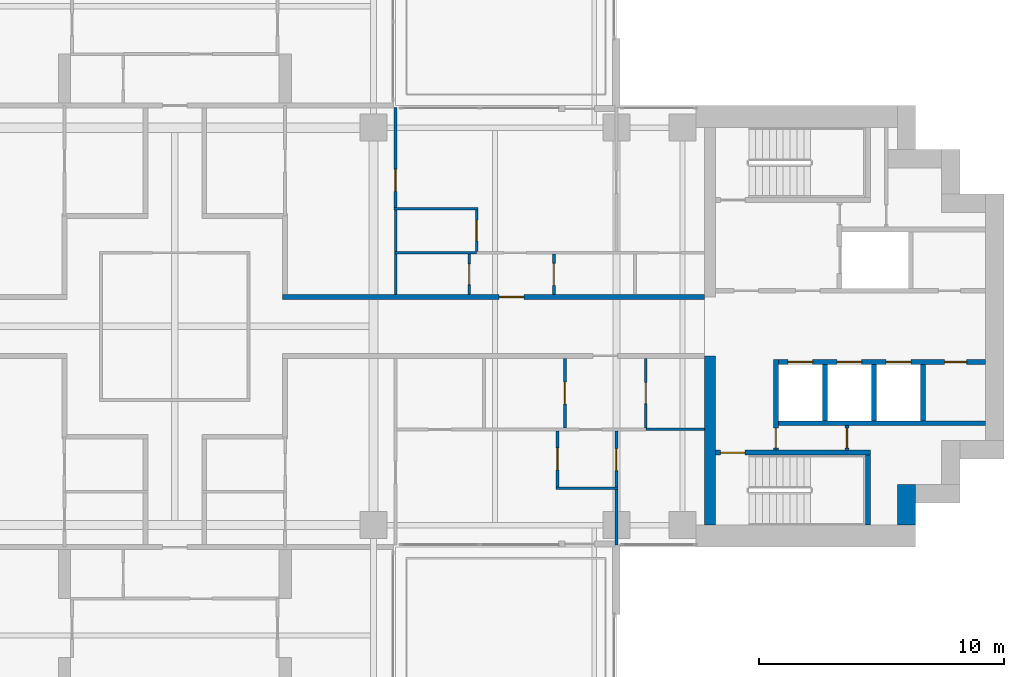
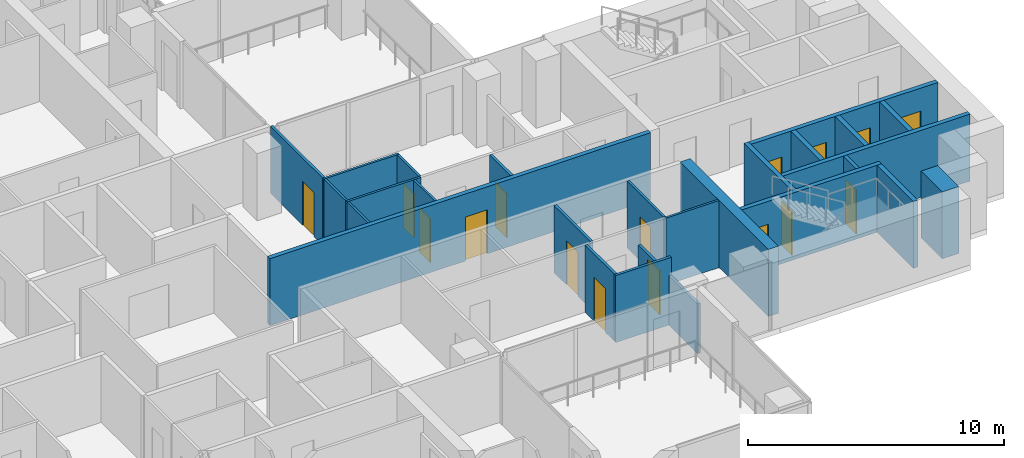
# One storey, part 12 of 19: 25 walls, 16 doors, 16 openings.
"""IFC4 building model written with IfcOpenShell, lengths in metres."""

from ifc_helpers import new_model, si_unit, direction, frame, frame_2d, origin, place, context, subcontext, project, spatial, rectangle, extrude, material, layer, layer_set, type_object, element, fill, save


model = new_model("IFC4")

# Units and contexts
model_context = context("Model", 3, precision=1e-05, world=origin(), true_north=direction((0.0, 1.0)))
body_context = subcontext(model_context, "Body", "Model", "MODEL_VIEW")
ifc_project = project(units=[si_unit("LENGTHUNIT", "METRE"), si_unit("AREAUNIT", "SQUARE_METRE"), si_unit("VOLUMEUNIT", "CUBIC_METRE"), si_unit("PLANEANGLEUNIT", "RADIAN"), si_unit("MASSUNIT", "GRAM", prefix="KILO")], contexts=[model_context])

# Site, building, storey
site_placement = place(None, origin())
site = spatial("IfcSite", under=ifc_project, at=site_placement, CompositionType="ELEMENT")
building_placement = place(site_placement, origin())
building = spatial("IfcBuilding", under=site, at=building_placement, Name="Perihelion Cross Residences", CompositionType="ELEMENT")
storey_placement = place(building_placement, frame((0.0, 0.0, 151.39990234375)))
storey = spatial("IfcBuildingStorey", under=building, at=storey_placement, Name="L37", CompositionType="ELEMENT", Elevation=151.39990234375)

# Wall, opening, door
ifc_material_1 = material(Name="Plasterboard partition")
ifc_layer_1 = layer(ifc_material_1, 0.199951171875)
ifc_layer_set_1 = layer_set([ifc_layer_1], Name="Apartment separation wall 200")
wall_type_1 = type_object("IfcWallType", Name="Apartment separation wall 200", PredefinedType="PARTITIONING", material=ifc_layer_set_1)
wall_1_placement = place(storey_placement, frame((4.39990234375, 1.199951171875, 0.0), z_axis=(0.0, 0.0, 1.0), x_axis=(1.0, 0.0, 0.0)))
wall_1 = element("IfcWall", 1, at=wall_1_placement, inside=storey, type_object=wall_type_1, Name="Partition L37 W005", PredefinedType="PARTITIONING", context=body_context, shape_type="SweptSolid", body=[
    extrude(rectangle(XDim=17.2001953125, YDim=0.199951171875, at=frame_2d((8.60009765625, 0.0))), origin(), (0.0, 0.0, 1.0), 3.2001953125),
])
opening_1_placement = place(wall_1_placement, frame((8.824951171875, 0.0, 0.0)))
opening_1 = element("IfcOpeningElement", 2, at=opening_1_placement, cuts=wall_1, Name="Opening L37.A50", PredefinedType="OPENING", context=body_context, shape_type="SweptSolid", body=[
    extrude(rectangle(XDim=1.0, YDim=2.10009765625, at=frame_2d((0.5, 1.050048828125))), frame((0.0, 0.10986328125, 0.0), z_axis=(0.0, -1.0, 0.0), x_axis=(1.0, 0.0, 0.0)), (0.0, 0.0, 1.0), 0.219970703125),
])
ifc_material_2 = material(Name="Timber door leaf", Category="wood")
door_type_1 = type_object("IfcDoorType", Name="Flat entrance door 1000 x 2100", OperationType="SINGLE_SWING_LEFT", PredefinedType="DOOR", material=ifc_material_2)
door_1_placement = place(opening_1_placement, origin())
door_1 = element("IfcDoor", 3, at=door_1_placement, inside=storey, type_object=door_type_1, Name="Door L37.A50", OperationType="SINGLE_SWING_LEFT", OverallHeight=2.10009765625, OverallWidth=1.0, PredefinedType="DOOR", context=body_context, shape_type="SweptSolid", body=[
    extrude(rectangle(XDim=1.0, YDim=2.10009765625, at=frame_2d((0.5, 1.050048828125))), frame((0.0, 0.02490234375, 0.0), z_axis=(0.0, -1.0, 0.0), x_axis=(1.0, 0.0, 0.0)), (0.0, 0.0, 1.0), 0.050048828125),
])
fill(opening_1, door_1)

# Walls
ifc_material_3 = material(Name="Concrete C60/75", Category="concrete")
ifc_layer_2 = layer(ifc_material_3, 0.449951171875)
ifc_layer_set_2 = layer_set([ifc_layer_2], Name="Core wall, inner 450")
wall_type_2 = type_object("IfcWallType", Name="Core wall, inner 450", PredefinedType="SHEAR", material=ifc_layer_set_2)
wall_2_placement = place(storey_placement, frame((21.824951171875, -8.10009765625, 0.0), z_axis=(0.0, 0.0, 1.0), x_axis=(0.0, 1.0, 0.0)))
element("IfcWall", 4, at=wall_2_placement, inside=storey, type_object=wall_type_2, Name="East core core wall, inner", PredefinedType="SHEAR", context=body_context, shape_type="SweptSolid", body=[
    extrude(rectangle(XDim=6.900146484375, YDim=0.449951171875, at=frame_2d((3.4501953125, 0.0))), origin(), (0.0, 0.0, 1.0), 3.2001953125),
])
ifc_material_4 = material(Name="Concrete C60/75", Category="concrete")
ifc_layer_3 = layer(ifc_material_4, 0.75)
ifc_layer_set_3 = layer_set([ifc_layer_3], Name="Core wall, outer 750")
wall_type_3 = type_object("IfcWallType", Name="Core wall, outer 750", PredefinedType="SHEAR", material=ifc_layer_set_3)
wall_3_placement = place(storey_placement, frame((29.824951171875, -8.10009765625, 0.0), z_axis=(0.0, 0.0, 1.0), x_axis=(0.0, 1.0, 0.0)))
element("IfcWall", 5, at=wall_3_placement, inside=storey, type_object=wall_type_3, Name="East core core wall, outer", PredefinedType="SHEAR", context=body_context, shape_type="SweptSolid", body=[
    extrude(rectangle(XDim=1.650146484375, YDim=0.75, at=frame_2d((0.8251953125, 0.0))), origin(), (0.0, 0.0, 1.0), 3.2001953125),
])

# Wall, opening, door
ifc_material_5 = material(Name="Concrete C50/60", Category="concrete")
ifc_layer_4 = layer(ifc_material_5, 0.199951171875)
ifc_layer_set_4 = layer_set([ifc_layer_4], Name="Lobby wall 200")
wall_type_4 = type_object("IfcWallType", Name="Lobby wall 200", PredefinedType="SOLIDWALL", material=ifc_layer_set_4)
wall_4_placement = place(storey_placement, frame((24.5, -5.050048828125, 0.0), z_axis=(0.0, 0.0, 1.0), x_axis=(0.0, 1.0, 0.0)))
wall_4 = element("IfcWall", 6, at=wall_4_placement, inside=storey, type_object=wall_type_4, Name="East core lobby wall", PredefinedType="SOLIDWALL", context=body_context, shape_type="SweptSolid", body=[
    extrude(rectangle(XDim=3.699951171875, YDim=0.199951171875, at=frame_2d((1.85009765625, 0.0))), origin(), (0.0, 0.0, 1.0), 3.2001953125),
])
opening_2_placement = place(wall_4_placement, frame((0.10009765625, 0.0, 0.0)))
opening_2 = element("IfcOpeningElement", 7, at=opening_2_placement, cuts=wall_4, Name="Opening L37.C08", PredefinedType="OPENING", context=body_context, shape_type="SweptSolid", body=[
    extrude(rectangle(XDim=0.800048828125, YDim=2.10009765625, at=frame_2d((0.39990234375, 1.050048828125))), frame((0.0, 0.10986328125, 0.0), z_axis=(0.0, -1.0, 0.0), x_axis=(1.0, 0.0, 0.0)), (0.0, 0.0, 1.0), 0.219970703125),
])
ifc_material_6 = material(Name="Steel, powder coated", Category="steel")
door_type_2 = type_object("IfcDoorType", Name="Riser door 800", OperationType="SINGLE_SWING_LEFT", PredefinedType="DOOR", material=ifc_material_6)
door_2_placement = place(opening_2_placement, origin())
door_2 = element("IfcDoor", 8, at=door_2_placement, inside=storey, type_object=door_type_2, Name="East core riser door", OperationType="SINGLE_SWING_LEFT", OverallHeight=2.10009765625, OverallWidth=0.800048828125, PredefinedType="DOOR", context=body_context, shape_type="SweptSolid", body=[
    extrude(rectangle(XDim=0.800048828125, YDim=2.10009765625, at=frame_2d((0.39990234375, 1.050048828125))), frame((0.0, 0.02490234375, 0.0), z_axis=(0.0, -1.0, 0.0), x_axis=(1.0, 0.0, 0.0)), (0.0, 0.0, 1.0), 0.050048828125),
])
fill(opening_2, door_2)

ifc_material_7 = material(Name="Plasterboard partition")
ifc_layer_5 = layer(ifc_material_7, 0.1201171875)
ifc_layer_set_5 = layer_set([ifc_layer_5], Name="Partition wall 120")
wall_type_5 = type_object("IfcWallType", Name="Partition wall 120", PredefinedType="PARTITIONING", material=ifc_layer_set_5)
wall_5_placement = place(storey_placement, frame((15.449951171875, 2.93994140625, 0.0), z_axis=(0.0, 0.0, 1.0), x_axis=(0.0, -1.0, 0.0)))
wall_5 = element("IfcWall", 9, at=wall_5_placement, inside=storey, type_object=wall_type_5, Name="Partition L37 W026", PredefinedType="PARTITIONING", context=body_context, shape_type="SweptSolid", body=[
    extrude(rectangle(XDim=1.639892578125, YDim=0.1201171875, at=frame_2d((0.81982421875, 0.0))), origin(), (0.0, 0.0, 1.0), 3.2001953125),
])
opening_3_placement = place(wall_5_placement, frame((0.3701171875, 0.0, 0.0)))
opening_3 = element("IfcOpeningElement", 10, at=opening_3_placement, cuts=wall_5, Name="Opening L37.A05", PredefinedType="OPENING", context=body_context, shape_type="SweptSolid", body=[
    extrude(rectangle(XDim=0.89990234375, YDim=2.10009765625, at=frame_2d((0.449951171875, 1.050048828125))), frame((0.0, 0.070068359375, 0.0), z_axis=(0.0, -1.0, 0.0), x_axis=(1.0, 0.0, 0.0)), (0.0, 0.0, 1.0), 0.14013671875),
])
ifc_material_8 = material(Name="Timber door leaf", Category="wood")
door_type_3 = type_object("IfcDoorType", Name="Interior room door 900 x 2100", OperationType="SINGLE_SWING_LEFT", PredefinedType="DOOR", material=ifc_material_8)
door_3_placement = place(opening_3_placement, origin())
door_3 = element("IfcDoor", 11, at=door_3_placement, inside=storey, type_object=door_type_3, Name="Door L37.A05", OperationType="SINGLE_SWING_LEFT", OverallHeight=2.10009765625, OverallWidth=0.89990234375, PredefinedType="DOOR", context=body_context, shape_type="SweptSolid", body=[
    extrude(rectangle(XDim=0.89990234375, YDim=2.10009765625, at=frame_2d((0.449951171875, 1.050048828125))), frame((0.0, 0.02490234375, 0.0), z_axis=(0.0, -1.0, 0.0), x_axis=(1.0, 0.0, 0.0)), (0.0, 0.0, 1.0), 0.050048828125),
])
fill(opening_3, door_3)

wall_6_placement = place(storey_placement, frame((9.0, 4.800048828125, 0.0), z_axis=(0.0, 0.0, 1.0), x_axis=(0.0, 1.0, 0.0)))
wall_6 = element("IfcWall", 12, at=wall_6_placement, inside=storey, type_object=wall_type_5, Name="Partition L37 W032", PredefinedType="PARTITIONING", context=body_context, shape_type="SweptSolid", body=[
    extrude(rectangle(XDim=4.119873046875, YDim=0.1201171875, at=frame_2d((2.06005859375, 0.0))), origin(), (0.0, 0.0, 1.0), 3.2001953125),
])
opening_4_placement = place(wall_6_placement, frame((0.699951171875, 0.0, 0.0)))
opening_4 = element("IfcOpeningElement", 13, at=opening_4_placement, cuts=wall_6, Name="Opening L37.A08", PredefinedType="OPENING", context=body_context, shape_type="SweptSolid", body=[
    extrude(rectangle(XDim=0.89990234375, YDim=2.10009765625, at=frame_2d((0.449951171875, 1.050048828125))), frame((0.0, 0.070068359375, 0.0), z_axis=(0.0, -1.0, 0.0), x_axis=(1.0, 0.0, 0.0)), (0.0, 0.0, 1.0), 0.14013671875),
])
door_4_placement = place(opening_4_placement, origin())
door_4 = element("IfcDoor", 14, at=door_4_placement, inside=storey, type_object=door_type_3, Name="Door L37.A08", OperationType="SINGLE_SWING_LEFT", OverallHeight=2.10009765625, OverallWidth=0.89990234375, PredefinedType="DOOR", context=body_context, shape_type="SweptSolid", body=[
    extrude(rectangle(XDim=0.89990234375, YDim=2.10009765625, at=frame_2d((0.449951171875, 1.050048828125))), frame((0.0, 0.02490234375, 0.0), z_axis=(0.0, -1.0, 0.0), x_axis=(1.0, 0.0, 0.0)), (0.0, 0.0, 1.0), 0.050048828125),
])
fill(opening_4, door_4)

wall_7_placement = place(storey_placement, frame((15.89990234375, -1.300048828125, 0.0), z_axis=(0.0, 0.0, 1.0), x_axis=(0.0, -1.0, 0.0)))
wall_7 = element("IfcWall", 15, at=wall_7_placement, inside=storey, type_object=wall_type_5, Name="Partition L37 W037", PredefinedType="PARTITIONING", context=body_context, shape_type="SweptSolid", body=[
    extrude(rectangle(XDim=2.83984375, YDim=0.1201171875, at=frame_2d((1.419921875, 0.0))), origin(), (0.0, 0.0, 1.0), 3.2001953125),
])
opening_5_placement = place(wall_7_placement, frame((0.969970703125, 0.0, 0.0)))
opening_5 = element("IfcOpeningElement", 16, at=opening_5_placement, cuts=wall_7, Name="Opening L37.A13", PredefinedType="OPENING", context=body_context, shape_type="SweptSolid", body=[
    extrude(rectangle(XDim=0.89990234375, YDim=2.10009765625, at=frame_2d((0.449951171875, 1.050048828125))), frame((0.0, 0.070068359375, 0.0), z_axis=(0.0, -1.0, 0.0), x_axis=(1.0, 0.0, 0.0)), (0.0, 0.0, 1.0), 0.14013671875),
])
door_5_placement = place(opening_5_placement, origin())
door_5 = element("IfcDoor", 17, at=door_5_placement, inside=storey, type_object=door_type_3, Name="Door L37.A13", OperationType="SINGLE_SWING_RIGHT", OverallHeight=2.10009765625, OverallWidth=0.89990234375, PredefinedType="DOOR", context=body_context, shape_type="SweptSolid", body=[
    extrude(rectangle(XDim=0.89990234375, YDim=2.10009765625, at=frame_2d((0.449951171875, 1.050048828125))), frame((0.0, 0.02490234375, 0.0), z_axis=(0.0, -1.0, 0.0), x_axis=(1.0, 0.0, 0.0)), (0.0, 0.0, 1.0), 0.050048828125),
])
fill(opening_5, door_5)

wall_8_placement = place(storey_placement, frame((15.60009765625, -4.260009765625, 0.0), z_axis=(0.0, 0.0, 1.0), x_axis=(0.0, -1.0, 0.0)))
wall_8 = element("IfcWall", 18, at=wall_8_placement, inside=storey, type_object=wall_type_5, Name="Partition L37 W040", PredefinedType="PARTITIONING", context=body_context, shape_type="SweptSolid", body=[
    extrude(rectangle(XDim=2.280029296875, YDim=0.1201171875, at=frame_2d((1.14013671875, 0.0))), origin(), (0.0, 0.0, 1.0), 3.2001953125),
])
opening_6_placement = place(wall_8_placement, frame((0.68994140625, 0.0, 0.0)))
opening_6 = element("IfcOpeningElement", 19, at=opening_6_placement, cuts=wall_8, Name="Opening L37.A15", PredefinedType="OPENING", context=body_context, shape_type="SweptSolid", body=[
    extrude(rectangle(XDim=0.89990234375, YDim=2.10009765625, at=frame_2d((0.449951171875, 1.050048828125))), frame((0.0, 0.070068359375, 0.0), z_axis=(0.0, -1.0, 0.0), x_axis=(1.0, 0.0, 0.0)), (0.0, 0.0, 1.0), 0.14013671875),
])
door_6_placement = place(opening_6_placement, origin())
door_6 = element("IfcDoor", 20, at=door_6_placement, inside=storey, type_object=door_type_3, Name="Door L37.A15", OperationType="SINGLE_SWING_LEFT", OverallHeight=2.10009765625, OverallWidth=0.89990234375, PredefinedType="DOOR", context=body_context, shape_type="SweptSolid", body=[
    extrude(rectangle(XDim=0.89990234375, YDim=2.10009765625, at=frame_2d((0.449951171875, 1.050048828125))), frame((0.0, 0.02490234375, 0.0), z_axis=(0.0, -1.0, 0.0), x_axis=(1.0, 0.0, 0.0)), (0.0, 0.0, 1.0), 0.050048828125),
])
fill(opening_6, door_6)

# Wall
wall_9_placement = place(storey_placement, frame((15.5400390625, -6.60009765625, 0.0), z_axis=(0.0, 0.0, 1.0), x_axis=(1.0, 0.0, 0.0)))
element("IfcWall", 21, at=wall_9_placement, inside=storey, type_object=wall_type_5, Name="Partition L37 W041", PredefinedType="PARTITIONING", context=body_context, shape_type="SweptSolid", body=[
    extrude(rectangle(XDim=2.52001953125, YDim=0.1201171875, at=frame_2d((1.260009765625, 0.0))), origin(), (0.0, 0.0, 1.0), 3.2001953125),
])

# Wall, opening, door
wall_10_placement = place(storey_placement, frame((18.0, -4.260009765625, 0.0), z_axis=(0.0, 0.0, 1.0), x_axis=(0.0, -1.0, 0.0)))
wall_10 = element("IfcWall", 22, at=wall_10_placement, inside=storey, type_object=wall_type_5, Name="Partition L37 W042", PredefinedType="PARTITIONING", context=body_context, shape_type="SweptSolid", body=[
    extrude(rectangle(XDim=4.659912109375, YDim=0.1201171875, at=frame_2d((2.330078125, 0.0))), origin(), (0.0, 0.0, 1.0), 2.364013671875),
])
opening_7_placement = place(wall_10_placement, frame((0.719970703125, 0.0, 0.0)))
opening_7 = element("IfcOpeningElement", 23, at=opening_7_placement, cuts=wall_10, Name="Opening L37.A16", PredefinedType="OPENING", context=body_context, shape_type="SweptSolid", body=[
    extrude(rectangle(XDim=0.89990234375, YDim=2.10009765625, at=frame_2d((0.449951171875, 1.050048828125))), frame((0.0, 0.070068359375, 0.0), z_axis=(0.0, -1.0, 0.0), x_axis=(1.0, 0.0, 0.0)), (0.0, 0.0, 1.0), 0.14013671875),
])
door_7_placement = place(opening_7_placement, origin())
door_7 = element("IfcDoor", 24, at=door_7_placement, inside=storey, type_object=door_type_3, Name="Door L37.A16", OperationType="SINGLE_SWING_LEFT", OverallHeight=2.10009765625, OverallWidth=0.89990234375, PredefinedType="DOOR", context=body_context, shape_type="SweptSolid", body=[
    extrude(rectangle(XDim=0.89990234375, YDim=2.10009765625, at=frame_2d((0.449951171875, 1.050048828125))), frame((0.0, 0.02490234375, 0.0), z_axis=(0.0, -1.0, 0.0), x_axis=(1.0, 0.0, 0.0)), (0.0, 0.0, 1.0), 0.050048828125),
])
fill(opening_7, door_7)

ifc_material_9 = material(Name="Fire-rated board on steel stud", Category="steel")
ifc_layer_6 = layer(ifc_material_9, 0.14990234375)
ifc_layer_set_6 = layer_set([ifc_layer_6], Name="Riser wall 150")
wall_type_6 = type_object("IfcWallType", Name="Riser wall 150", PredefinedType="PARTITIONING", material=ifc_layer_set_6)
wall_11_placement = place(storey_placement, frame((27.39990234375, -5.050048828125, 0.0), z_axis=(0.0, 0.0, 1.0), x_axis=(0.0, 1.0, 0.0)))
wall_11 = element("IfcWall", 25, at=wall_11_placement, inside=storey, type_object=wall_type_6, Name="East core riser wall", PredefinedType="PARTITIONING", context=body_context, shape_type="SweptSolid", body=[
    extrude(rectangle(XDim=1.0, YDim=0.14990234375, at=frame_2d((0.5, 0.0))), origin(), (0.0, 0.0, 1.0), 3.2001953125),
])
opening_8_placement = place(wall_11_placement, frame((0.10009765625, 0.0, 0.0)))
opening_8 = element("IfcOpeningElement", 26, at=opening_8_placement, cuts=wall_11, Name="Opening L37.C11", PredefinedType="OPENING", context=body_context, shape_type="SweptSolid", body=[
    extrude(rectangle(XDim=0.800048828125, YDim=2.10009765625, at=frame_2d((0.39990234375, 1.050048828125))), frame((0.0, 0.0849609375, 0.0), z_axis=(0.0, -1.0, 0.0), x_axis=(1.0, 0.0, 0.0)), (0.0, 0.0, 1.0), 0.169921875),
])
door_8_placement = place(opening_8_placement, origin())
door_8 = element("IfcDoor", 27, at=door_8_placement, inside=storey, type_object=door_type_2, Name="East core riser door", OperationType="SINGLE_SWING_LEFT", OverallHeight=2.10009765625, OverallWidth=0.800048828125, PredefinedType="DOOR", context=body_context, shape_type="SweptSolid", body=[
    extrude(rectangle(XDim=0.800048828125, YDim=2.10009765625, at=frame_2d((0.39990234375, 1.050048828125))), frame((0.0, 0.02490234375, 0.0), z_axis=(0.0, -1.0, 0.0), x_axis=(1.0, 0.0, 0.0)), (0.0, 0.0, 1.0), 0.050048828125),
])
fill(opening_8, door_8)

# Wall, openings, doors
ifc_material_10 = material(Name="Concrete C50/60", Category="concrete")
ifc_layer_7 = layer(ifc_material_10, 0.199951171875)
ifc_layer_set_7 = layer_set([ifc_layer_7], Name="Shaft wall 200")
wall_type_7 = type_object("IfcWallType", Name="Shaft wall 200", PredefinedType="SOLIDWALL", material=ifc_layer_set_7)
wall_12_placement = place(storey_placement, frame((24.60009765625, -1.449951171875, 0.0), z_axis=(0.0, 0.0, 1.0), x_axis=(1.0, 0.0, 0.0)))
wall_12 = element("IfcWall", 28, at=wall_12_placement, inside=storey, type_object=wall_type_7, Name="East core shaft wall", PredefinedType="SOLIDWALL", context=body_context, shape_type="SweptSolid", body=[
    extrude(rectangle(XDim=8.449951171875, YDim=0.199951171875, at=frame_2d((4.22509765625, 0.0))), origin(), (0.0, 0.0, 1.0), 3.2001953125),
])
opening_9_placement = place(wall_12_placement, frame((0.39990234375, 0.0, 0.0)))
opening_9 = element("IfcOpeningElement", 29, at=opening_9_placement, cuts=wall_12, Name="Opening L37.C01", PredefinedType="OPENING", context=body_context, shape_type="SweptSolid", body=[
    extrude(rectangle(XDim=1.0, YDim=2.10009765625, at=frame_2d((0.5, 1.050048828125))), frame((0.0, 0.10986328125, 0.0), z_axis=(0.0, -1.0, 0.0), x_axis=(1.0, 0.0, 0.0)), (0.0, 0.0, 1.0), 0.219970703125),
])
opening_10_placement = place(wall_12_placement, frame((2.39990234375, 0.0, 0.0)))
opening_10 = element("IfcOpeningElement", 30, at=opening_10_placement, cuts=wall_12, Name="Opening L37.C03", PredefinedType="OPENING", context=body_context, shape_type="SweptSolid", body=[
    extrude(rectangle(XDim=1.0, YDim=2.10009765625, at=frame_2d((0.5, 1.050048828125))), frame((0.0, 0.10986328125, 0.0), z_axis=(0.0, -1.0, 0.0), x_axis=(1.0, 0.0, 0.0)), (0.0, 0.0, 1.0), 0.219970703125),
])
opening_11_placement = place(wall_12_placement, frame((4.39990234375, 0.0, 0.0)))
opening_11 = element("IfcOpeningElement", 31, at=opening_11_placement, cuts=wall_12, Name="Opening L37.C04", PredefinedType="OPENING", context=body_context, shape_type="SweptSolid", body=[
    extrude(rectangle(XDim=1.0, YDim=2.10009765625, at=frame_2d((0.5, 1.050048828125))), frame((0.0, 0.10986328125, 0.0), z_axis=(0.0, -1.0, 0.0), x_axis=(1.0, 0.0, 0.0)), (0.0, 0.0, 1.0), 0.219970703125),
])
opening_12_placement = place(wall_12_placement, frame((6.77490234375, 0.0, 0.0)))
opening_12 = element("IfcOpeningElement", 32, at=opening_12_placement, cuts=wall_12, Name="Opening L37.C14", PredefinedType="OPENING", context=body_context, shape_type="SweptSolid", body=[
    extrude(rectangle(XDim=0.89990234375, YDim=2.10009765625, at=frame_2d((0.449951171875, 1.050048828125))), frame((0.0, 0.10986328125, 0.0), z_axis=(0.0, -1.0, 0.0), x_axis=(1.0, 0.0, 0.0)), (0.0, 0.0, 1.0), 0.219970703125),
])
ifc_material_11 = material(Name="Stainless steel", Category="steel")
door_type_4 = type_object("IfcDoorType", Name="Landing door 1000", OperationType="DOUBLE_DOOR_SLIDING", PredefinedType="DOOR", material=ifc_material_11)
door_9_placement = place(opening_9_placement, origin())
door_9 = element("IfcDoor", 33, at=door_9_placement, inside=storey, type_object=door_type_4, Name="Landing door, East core high-rise lift 1", OperationType="DOUBLE_DOOR_SLIDING", OverallHeight=2.10009765625, OverallWidth=1.0, PredefinedType="DOOR", context=body_context, shape_type="SweptSolid", body=[
    extrude(rectangle(XDim=1.0, YDim=2.10009765625, at=frame_2d((0.5, 1.050048828125))), frame((0.0, 0.02490234375, 0.0), z_axis=(0.0, -1.0, 0.0), x_axis=(1.0, 0.0, 0.0)), (0.0, 0.0, 1.0), 0.050048828125),
])
fill(opening_9, door_9)
door_10_placement = place(opening_10_placement, origin())
door_10 = element("IfcDoor", 34, at=door_10_placement, inside=storey, type_object=door_type_4, Name="Landing door, East core high-rise lift 2", OperationType="DOUBLE_DOOR_SLIDING", OverallHeight=2.10009765625, OverallWidth=1.0, PredefinedType="DOOR", context=body_context, shape_type="SweptSolid", body=[
    extrude(rectangle(XDim=1.0, YDim=2.10009765625, at=frame_2d((0.5, 1.050048828125))), frame((0.0, 0.02490234375, 0.0), z_axis=(0.0, -1.0, 0.0), x_axis=(1.0, 0.0, 0.0)), (0.0, 0.0, 1.0), 0.050048828125),
])
fill(opening_10, door_10)
door_11_placement = place(opening_11_placement, origin())
door_11 = element("IfcDoor", 35, at=door_11_placement, inside=storey, type_object=door_type_4, Name="Landing door, East core high-rise lift 3", OperationType="DOUBLE_DOOR_SLIDING", OverallHeight=2.10009765625, OverallWidth=1.0, PredefinedType="DOOR", context=body_context, shape_type="SweptSolid", body=[
    extrude(rectangle(XDim=1.0, YDim=2.10009765625, at=frame_2d((0.5, 1.050048828125))), frame((0.0, 0.02490234375, 0.0), z_axis=(0.0, -1.0, 0.0), x_axis=(1.0, 0.0, 0.0)), (0.0, 0.0, 1.0), 0.050048828125),
])
fill(opening_11, door_11)
ifc_material_12 = material(Name="Steel, powder coated", Category="steel")
door_type_5 = type_object("IfcDoorType", Name="Service room door 900", OperationType="SINGLE_SWING_LEFT", PredefinedType="DOOR", material=ifc_material_12)
door_12_placement = place(opening_12_placement, origin())
door_12 = element("IfcDoor", 36, at=door_12_placement, inside=storey, type_object=door_type_5, Name="East core service room door", OperationType="SINGLE_SWING_LEFT", OverallHeight=2.10009765625, OverallWidth=0.89990234375, PredefinedType="DOOR", context=body_context, shape_type="SweptSolid", body=[
    extrude(rectangle(XDim=0.89990234375, YDim=2.10009765625, at=frame_2d((0.449951171875, 1.050048828125))), frame((0.0, 0.02490234375, 0.0), z_axis=(0.0, -1.0, 0.0), x_axis=(1.0, 0.0, 0.0)), (0.0, 0.0, 1.0), 0.050048828125),
])
fill(opening_12, door_12)

# Walls
wall_13_placement = place(storey_placement, frame((24.60009765625, -3.949951171875, 0.0), z_axis=(0.0, 0.0, 1.0), x_axis=(1.0, 0.0, 0.0)))
element("IfcWall", 37, at=wall_13_placement, inside=storey, type_object=wall_type_7, Name="East core shaft wall", PredefinedType="SOLIDWALL", context=body_context, shape_type="SweptSolid", body=[
    extrude(rectangle(XDim=8.449951171875, YDim=0.199951171875, at=frame_2d((4.22509765625, 0.0))), origin(), (0.0, 0.0, 1.0), 3.2001953125),
])
for number, where, z_axis, x_axis, name in (
    (38, (26.5, -3.85009765625, 0.0), (0.0, 0.0, 1.0), (0.0, 1.0, 0.0), "East core shaft wall"),
    (39, (28.5, -3.85009765625, 0.0), (0.0, 0.0, 1.0), (0.0, 1.0, 0.0), "East core shaft wall"),
    (40, (30.5, -3.85009765625, 0.0), (0.0, 0.0, 1.0), (0.0, 1.0, 0.0), "East core shaft wall"),
):
    element("IfcWall", number, at=place(storey_placement, frame(where, z_axis=z_axis, x_axis=x_axis)), inside=storey, type_object=wall_type_7, Name=name, PredefinedType="SOLIDWALL", context=body_context, shape_type="SweptSolid", body=[
        extrude(rectangle(XDim=2.300048828125, YDim=0.199951171875, at=frame_2d((1.14990234375, 0.0))), origin(), (0.0, 0.0, 1.0), 3.2001953125),
    ])

# Wall, opening, door
ifc_material_13 = material(Name="Concrete C50/60", Category="concrete")
ifc_layer_8 = layer(ifc_material_13, 0.199951171875)
ifc_layer_set_8 = layer_set([ifc_layer_8], Name="Stair wall 200")
wall_type_8 = type_object("IfcWallType", Name="Stair wall 200", PredefinedType="SOLIDWALL", material=ifc_layer_set_8)
wall_14_placement = place(storey_placement, frame((22.050048828125, -5.14990234375, 0.0), z_axis=(0.0, 0.0, 1.0), x_axis=(1.0, 0.0, 0.0)))
wall_14 = element("IfcWall", 41, at=wall_14_placement, inside=storey, type_object=wall_type_8, Name="East core stair wall", PredefinedType="SOLIDWALL", context=body_context, shape_type="SweptSolid", body=[
    extrude(rectangle(XDim=6.300048828125, YDim=0.199951171875, at=frame_2d((3.14990234375, 0.0))), origin(), (0.0, 0.0, 1.0), 3.2001953125),
])
opening_13_placement = place(wall_14_placement, frame((0.199951171875, 0.0, 0.0)))
opening_13 = element("IfcOpeningElement", 42, at=opening_13_placement, cuts=wall_14, Name="Opening L37.C05", PredefinedType="OPENING", context=body_context, shape_type="SweptSolid", body=[
    extrude(rectangle(XDim=1.0, YDim=2.10009765625, at=frame_2d((0.5, 1.050048828125))), frame((0.0, 0.10986328125, 0.0), z_axis=(0.0, -1.0, 0.0), x_axis=(1.0, 0.0, 0.0)), (0.0, 0.0, 1.0), 0.219970703125),
])
ifc_material_14 = material(Name="Steel, powder coated", Category="steel")
door_type_6 = type_object("IfcDoorType", Name="Stair door 1000", OperationType="SINGLE_SWING_LEFT", PredefinedType="DOOR", material=ifc_material_14)
door_13_placement = place(opening_13_placement, origin())
door_13 = element("IfcDoor", 43, at=door_13_placement, inside=storey, type_object=door_type_6, Name="East core stair door", OperationType="SINGLE_SWING_LEFT", OverallHeight=2.10009765625, OverallWidth=1.0, PredefinedType="DOOR", context=body_context, shape_type="SweptSolid", body=[
    extrude(rectangle(XDim=1.0, YDim=2.10009765625, at=frame_2d((0.5, 1.050048828125))), frame((0.0, 0.02490234375, 0.0), z_axis=(0.0, -1.0, 0.0), x_axis=(1.0, 0.0, 0.0)), (0.0, 0.0, 1.0), 0.050048828125),
])
fill(opening_13, door_13)

# Wall
wall_15_placement = place(storey_placement, frame((28.25, -8.10009765625, 0.0), z_axis=(0.0, 0.0, 1.0), x_axis=(0.0, 1.0, 0.0)))
element("IfcWall", 44, at=wall_15_placement, inside=storey, type_object=wall_type_8, Name="East core stair wall", PredefinedType="SOLIDWALL", context=body_context, shape_type="SweptSolid", body=[
    extrude(rectangle(XDim=2.85009765625, YDim=0.199951171875, at=frame_2d((1.425048828125, 0.0))), origin(), (0.0, 0.0, 1.0), 3.2001953125),
])

# Wall, opening, door
ifc_material_15 = material(Name="Plasterboard partition")
ifc_layer_9 = layer(ifc_material_15, 0.10009765625)
ifc_layer_set_9 = layer_set([ifc_layer_9], Name="Wet room wall 100")
wall_type_9 = type_object("IfcWallType", Name="Wet room wall 100", PredefinedType="PARTITIONING", material=ifc_layer_set_9)
wall_16_placement = place(storey_placement, frame((12.0, 2.949951171875, 0.0), z_axis=(0.0, 0.0, 1.0), x_axis=(0.0, -1.0, 0.0)))
wall_16 = element("IfcWall", 45, at=wall_16_placement, inside=storey, type_object=wall_type_9, Name="Partition L37 W023", PredefinedType="PARTITIONING", context=body_context, shape_type="SweptSolid", body=[
    extrude(rectangle(XDim=1.64990234375, YDim=0.10009765625, at=frame_2d((0.824951171875, 0.0))), origin(), (0.0, 0.0, 1.0), 3.2001953125),
])
opening_14_placement = place(wall_16_placement, frame((0.39990234375, 0.0, 0.0)))
opening_14 = element("IfcOpeningElement", 46, at=opening_14_placement, cuts=wall_16, Name="Opening L37.A04", PredefinedType="OPENING", context=body_context, shape_type="SweptSolid", body=[
    extrude(rectangle(XDim=0.85009765625, YDim=2.10009765625, at=frame_2d((0.425048828125, 1.050048828125))), frame((0.0, 0.06005859375, 0.0), z_axis=(0.0, -1.0, 0.0), x_axis=(1.0, 0.0, 0.0)), (0.0, 0.0, 1.0), 0.1201171875),
])
ifc_material_16 = material(Name="Timber door leaf", Category="wood")
door_type_7 = type_object("IfcDoorType", Name="Interior bathroom door 850 x 2100", OperationType="SINGLE_SWING_LEFT", PredefinedType="DOOR", material=ifc_material_16)
door_14_placement = place(opening_14_placement, origin())
door_14 = element("IfcDoor", 47, at=door_14_placement, inside=storey, type_object=door_type_7, Name="Door L37.A04", OperationType="SINGLE_SWING_LEFT", OverallHeight=2.10009765625, OverallWidth=0.85009765625, PredefinedType="DOOR", context=body_context, shape_type="SweptSolid", body=[
    extrude(rectangle(XDim=0.85009765625, YDim=2.10009765625, at=frame_2d((0.425048828125, 1.050048828125))), frame((0.0, 0.02490234375, 0.0), z_axis=(0.0, -1.0, 0.0), x_axis=(1.0, 0.0, 0.0)), (0.0, 0.0, 1.0), 0.050048828125),
])
fill(opening_14, door_14)

# Walls
wall_17_placement = place(storey_placement, frame((8.949951171875, 3.0, 0.0), z_axis=(0.0, 0.0, 1.0), x_axis=(1.0, 0.0, 0.0)))
element("IfcWall", 48, at=wall_17_placement, inside=storey, type_object=wall_type_9, Name="Partition L37 W024", PredefinedType="PARTITIONING", context=body_context, shape_type="SweptSolid", body=[
    extrude(rectangle(XDim=3.35009765625, YDim=0.10009765625, at=frame_2d((1.675048828125, 0.0))), origin(), (0.0, 0.0, 1.0), 3.2001953125),
])
wall_18_placement = place(storey_placement, frame((9.0, 1.300048828125, 0.0), z_axis=(0.0, 0.0, 1.0), x_axis=(0.0, 1.0, 0.0)))
element("IfcWall", 49, at=wall_18_placement, inside=storey, type_object=wall_type_9, Name="Partition L37 W025", PredefinedType="PARTITIONING", context=body_context, shape_type="SweptSolid", body=[
    extrude(rectangle(XDim=3.5, YDim=0.10009765625, at=frame_2d((1.75, 0.0))), origin(), (0.0, 0.0, 1.0), 3.2001953125),
])

# Wall, opening, door
wall_19_placement = place(storey_placement, frame((12.300048828125, 3.06005859375, 0.0), z_axis=(0.0, 0.0, 1.0), x_axis=(0.0, 1.0, 0.0)))
wall_19 = element("IfcWall", 50, at=wall_19_placement, inside=storey, type_object=wall_type_9, Name="Partition L37 W029", PredefinedType="PARTITIONING", context=body_context, shape_type="SweptSolid", body=[
    extrude(rectangle(XDim=1.68994140625, YDim=0.10009765625, at=frame_2d((0.844970703125, 0.0))), origin(), (0.0, 0.0, 1.0), 3.2001953125),
])
opening_15_placement = place(wall_19_placement, frame((0.419921875, 0.0, 0.0)))
opening_15 = element("IfcOpeningElement", 51, at=opening_15_placement, cuts=wall_19, Name="Opening L37.A07", PredefinedType="OPENING", context=body_context, shape_type="SweptSolid", body=[
    extrude(rectangle(XDim=0.85009765625, YDim=2.10009765625, at=frame_2d((0.425048828125, 1.050048828125))), frame((0.0, 0.06005859375, 0.0), z_axis=(0.0, -1.0, 0.0), x_axis=(1.0, 0.0, 0.0)), (0.0, 0.0, 1.0), 0.1201171875),
])
door_15_placement = place(opening_15_placement, origin())
door_15 = element("IfcDoor", 52, at=door_15_placement, inside=storey, type_object=door_type_7, Name="Door L37.A07", OperationType="SINGLE_SWING_LEFT", OverallHeight=2.10009765625, OverallWidth=0.85009765625, PredefinedType="DOOR", context=body_context, shape_type="SweptSolid", body=[
    extrude(rectangle(XDim=0.85009765625, YDim=2.10009765625, at=frame_2d((0.425048828125, 1.050048828125))), frame((0.0, 0.02490234375, 0.0), z_axis=(0.0, -1.0, 0.0), x_axis=(1.0, 0.0, 0.0)), (0.0, 0.0, 1.0), 0.050048828125),
])
fill(opening_15, door_15)

# Wall
wall_20_placement = place(storey_placement, frame((12.35009765625, 4.800048828125, 0.0), z_axis=(0.0, 0.0, 1.0), x_axis=(-1.0, 0.0, 0.0)))
element("IfcWall", 53, at=wall_20_placement, inside=storey, type_object=wall_type_9, Name="Partition L37 W030", PredefinedType="PARTITIONING", context=body_context, shape_type="SweptSolid", body=[
    extrude(rectangle(XDim=3.41015625, YDim=0.10009765625, at=frame_2d((1.705078125, 0.0))), origin(), (0.0, 0.0, 1.0), 3.2001953125),
])

# Wall, opening, door
wall_21_placement = place(storey_placement, frame((19.199951171875, -1.300048828125, 0.0), z_axis=(0.0, 0.0, 1.0), x_axis=(0.0, -1.0, 0.0)))
wall_21 = element("IfcWall", 54, at=wall_21_placement, inside=storey, type_object=wall_type_9, Name="Partition L37 W038", PredefinedType="PARTITIONING", context=body_context, shape_type="SweptSolid", body=[
    extrude(rectangle(XDim=2.83984375, YDim=0.10009765625, at=frame_2d((1.419921875, 0.0))), origin(), (0.0, 0.0, 1.0), 3.2001953125),
])
opening_16_placement = place(wall_21_placement, frame((0.9951171875, 0.0, 0.0)))
opening_16 = element("IfcOpeningElement", 55, at=opening_16_placement, cuts=wall_21, Name="Opening L37.A11", PredefinedType="OPENING", context=body_context, shape_type="SweptSolid", body=[
    extrude(rectangle(XDim=0.85009765625, YDim=2.10009765625, at=frame_2d((0.425048828125, 1.050048828125))), frame((0.0, 0.06005859375, 0.0), z_axis=(0.0, -1.0, 0.0), x_axis=(1.0, 0.0, 0.0)), (0.0, 0.0, 1.0), 0.1201171875),
])
door_16_placement = place(opening_16_placement, origin())
door_16 = element("IfcDoor", 56, at=door_16_placement, inside=storey, type_object=door_type_7, Name="Door L37.A11", OperationType="SINGLE_SWING_RIGHT", OverallHeight=2.10009765625, OverallWidth=0.85009765625, PredefinedType="DOOR", context=body_context, shape_type="SweptSolid", body=[
    extrude(rectangle(XDim=0.85009765625, YDim=2.10009765625, at=frame_2d((0.425048828125, 1.050048828125))), frame((0.0, 0.02490234375, 0.0), z_axis=(0.0, -1.0, 0.0), x_axis=(1.0, 0.0, 0.0)), (0.0, 0.0, 1.0), 0.050048828125),
])
fill(opening_16, door_16)

# Wall
wall_22_placement = place(storey_placement, frame((21.60009765625, -4.199951171875, 0.0), z_axis=(0.0, 0.0, 1.0), x_axis=(-1.0, 0.0, 0.0)))
element("IfcWall", 57, at=wall_22_placement, inside=storey, type_object=wall_type_9, Name="Partition L37 W039", PredefinedType="PARTITIONING", context=body_context, shape_type="SweptSolid", body=[
    extrude(rectangle(XDim=2.400146484375, YDim=0.10009765625, at=frame_2d((1.2001953125, 0.0))), origin(), (0.0, 0.0, 1.0), 3.2001953125),
])

save(model, "model.ifc")
